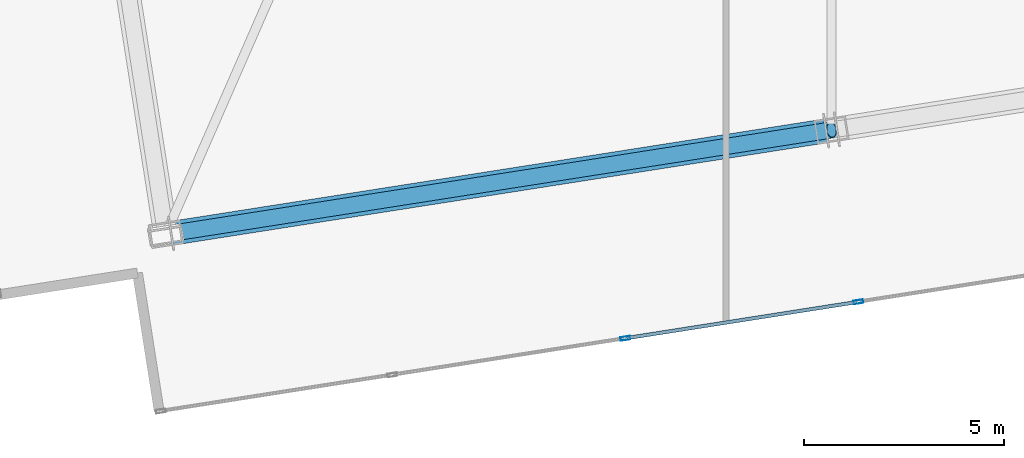
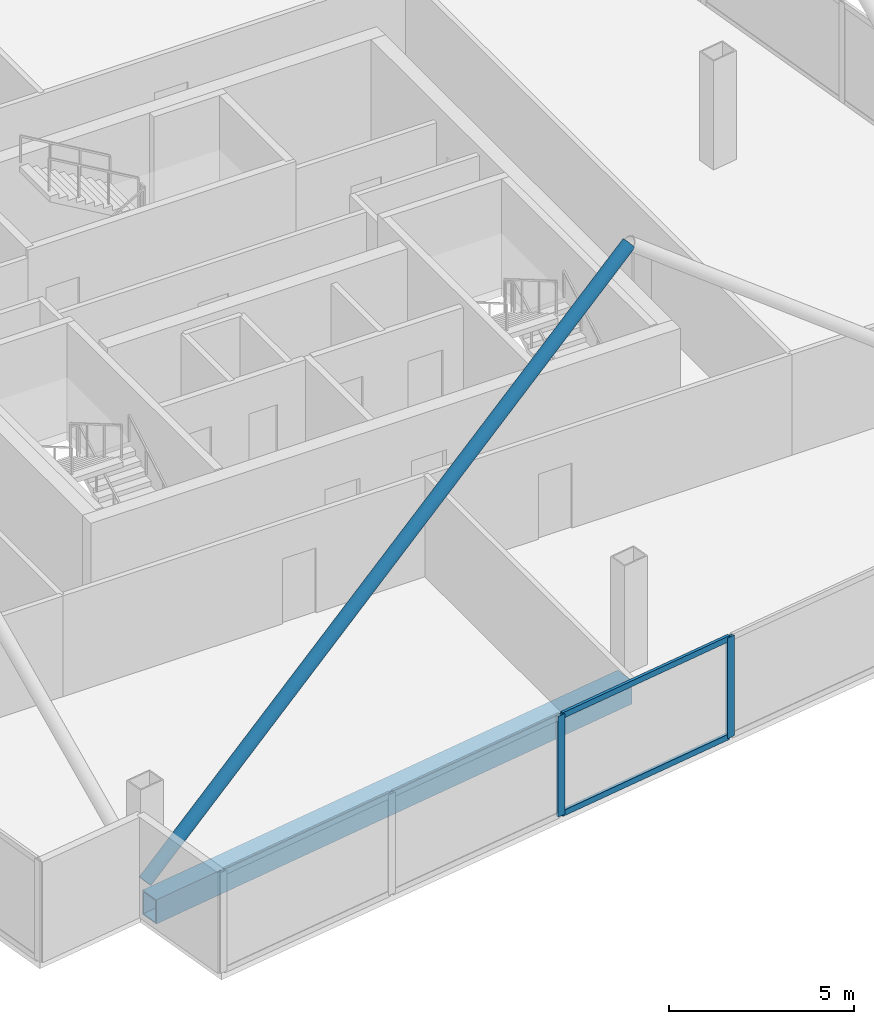
# One storey, part 4 of 21: 5 members, 1 beam, 1 element without a shape of its own.
"""IFC4 building model written with IfcOpenShell, lengths in metres."""

import ifcopenshell
import ifcopenshell.guid

model = None  # the IFC model being written
_history = None  # IfcOwnerHistory: only IFC2X3 demands one
_inside = {}  # id of a spatial element -> (the spatial element, [elements in it])
_under = {}  # id of a project, library or spatial element -> (it, [spatial elements below it])
_declared = {}  # id of a project -> (the project, [libraries it declares])
_typed = {}  # id of a type object -> (the type object, [elements of that type])
_made_of = {}  # id of a material, layer set ... -> (it, [elements and type objects made of it])


def new_model(schema):
    """Start an empty IFC model of exactly this schema.

    Asked for "IFC4X3", IfcOpenShell would pick the latest addendum, in which some entities
    have other attributes; the version numbers below select the first issue.
    IFC2X3 requires an IfcOwnerHistory on every rooted entity: one is made here for all.
    """
    global model, _history
    if schema == "IFC4X3":
        model = ifcopenshell.file(schema_version=(4, 3, 0, 0))
    else:
        model = ifcopenshell.file(schema=schema)
    _inside.clear()
    _under.clear()
    _declared.clear()
    _typed.clear()
    _made_of.clear()
    _history = None
    if model.schema == "IFC2X3":
        org = make("IfcOrganization", Name="unknown")
        user = make(
            "IfcPersonAndOrganization",
            ThePerson=make("IfcPerson", FamilyName="unknown"),
            TheOrganization=org,
        )
        app = make(
            "IfcApplication",
            ApplicationDeveloper=org,
            Version="unknown",
            ApplicationFullName="unknown",
            ApplicationIdentifier="unknown",
        )
        _history = make(
            "IfcOwnerHistory",
            OwningUser=user,
            OwningApplication=app,
            ChangeAction="ADDED",
            CreationDate=0,
        )
    return model


def make(cls, **values):
    """One entity of the class cls with the attributes given. An attribute that is None is left unset."""
    return model.create_entity(
        cls, **{name: value for name, value in values.items() if value is not None}
    )


def rooted(cls, **values):
    """An entity with a GlobalId (a new one), such as an element, a storey or a relation."""
    return make(cls, GlobalId=ifcopenshell.guid.new(), OwnerHistory=_history, **values)


def si_unit(unit_type, name, prefix=None):
    """IfcSIUnit, for example si_unit("LENGTHUNIT", "METRE", prefix="MILLI")."""
    return make("IfcSIUnit", UnitType=unit_type, Prefix=prefix, Name=name)


def assignment(units):
    """IfcUnitAssignment: the units of a project."""
    return None if units is None else make("IfcUnitAssignment", Units=units)


def point(xyz):
    """IfcCartesianPoint."""
    return None if xyz is None else make("IfcCartesianPoint", Coordinates=xyz)


def direction(xyz):
    """IfcDirection."""
    return None if xyz is None else make("IfcDirection", DirectionRatios=xyz)


def frame(location, z_axis=None, x_axis=None):
    """IfcAxis2Placement3D, a coordinate frame: its origin and axes. An axis left out is left unset."""
    return make(
        "IfcAxis2Placement3D",
        Location=point(location),
        Axis=direction(z_axis),
        RefDirection=direction(x_axis),
    )


def frame_2d(location, x_axis=None):
    """IfcAxis2Placement2D, a coordinate frame in the plane: its origin and x axis."""
    return make(
        "IfcAxis2Placement2D", Location=point(location), RefDirection=direction(x_axis)
    )


def origin():
    """The frame at (0, 0, 0) with its axes left unset."""
    return frame((0.0, 0.0, 0.0))


def origin_2d():
    """The frame at (0, 0) in the plane with its x axis left unset."""
    return frame_2d((0.0, 0.0))


def place(relative_to, where):
    """IfcLocalPlacement: puts the frame where relative to a parent placement (None: the world)."""
    return make(
        "IfcLocalPlacement", PlacementRelTo=relative_to, RelativePlacement=where
    )


def context(
    kind, dimensions, precision=None, world=None, true_north=None, identifier=None
):
    """IfcGeometricRepresentationContext, for example the 3D "Model" context."""
    return make(
        "IfcGeometricRepresentationContext",
        ContextIdentifier=identifier,
        ContextType=kind,
        CoordinateSpaceDimension=dimensions,
        Precision=precision,
        WorldCoordinateSystem=world,
        TrueNorth=true_north,
    )


def subcontext(parent, identifier, kind, view, scale=None):
    """IfcGeometricRepresentationSubContext, for example "Body" below "Model"."""
    return make(
        "IfcGeometricRepresentationSubContext",
        ContextIdentifier=identifier,
        ContextType=kind,
        ParentContext=parent,
        TargetScale=scale,
        TargetView=view,
    )


def project(units=None, contexts=None):
    """IfcProject with its units and contexts."""
    return rooted(
        "IfcProject",
        Name="project",
        RepresentationContexts=contexts,
        UnitsInContext=assignment(units),
    )


def spatial(cls, under=None, at=None, **own):
    """A site, building, storey or space (cls), placed at a placement, below another one or the project."""
    s = rooted(cls, ObjectPlacement=at, **own)
    if under is not None:
        _under.setdefault(under.id(), (under, []))[1].append(s)
    return s


def profile(cls, at=None, kind="AREA", **sizes):
    """A parametric profile (cls). Its sizes go by their IFC names, for example OverallWidth=200.0."""
    return make(cls, ProfileType=kind, Position=at, **sizes)


def hollow_rectangle(**sizes):
    """IfcRectangleHollowProfileDef."""
    return profile("IfcRectangleHollowProfileDef", **sizes)


def hollow_circle(**sizes):
    """IfcCircleHollowProfileDef."""
    return profile("IfcCircleHollowProfileDef", **sizes)


def extrude(swept, where, along, depth):
    """IfcExtrudedAreaSolid: the profile swept, set in the frame where, extruded along a direction by depth."""
    return make(
        "IfcExtrudedAreaSolid",
        SweptArea=swept,
        Position=where,
        ExtrudedDirection=direction(along),
        Depth=depth,
    )


def shape(context_of_items, identifier, shape_type, items):
    """IfcShapeRepresentation: the items that make up one representation, for example the "Body"."""
    return make(
        "IfcShapeRepresentation",
        ContextOfItems=context_of_items,
        RepresentationIdentifier=identifier,
        RepresentationType=shape_type,
        Items=items,
    )


def material(Name=None, Category=None):
    """IfcMaterial."""
    return make("IfcMaterial", Name=Name, Category=Category)


def material_profile(
    of_material, cross_section, Name=None, Category=None, Priority=None
):
    """IfcMaterialProfile: a cross section and its material."""
    return make(
        "IfcMaterialProfile",
        Name=Name,
        Material=of_material,
        Profile=cross_section,
        Priority=Priority,
        Category=Category,
    )


def profile_set(profiles, Name=None, composite=None):
    """IfcMaterialProfileSet."""
    return make(
        "IfcMaterialProfileSet",
        Name=Name,
        MaterialProfiles=profiles,
        CompositeProfile=composite,
    )


def made_of(thing, what):
    """Note that an element or type object is made of a material, layer set ...; save() writes the relation."""
    if what is not None:
        _made_of.setdefault(what.id(), (what, []))[1].append(thing)
    return thing


def type_object(cls, material=None, **own):
    """A type object (cls), such as IfcWallType, which elements share."""
    return made_of(rooted(cls, **own), material)


def element(
    cls,
    number,
    at=None,
    inside=None,
    cuts=None,
    type_object=None,
    material=None,
    context=None,
    identifier="Body",
    shape_type=None,
    held_by="IfcProductDefinitionShape",
    body=None,
    shapes=None,
    **own,
):
    """One element of the class cls, such as IfcWall. Its Tag is "e" and its number.

    at: its placement. inside: the storey or other place that contains it. cuts: it is an
    opening in that element (IfcRelVoidsElement). A single representation is given by context,
    identifier, shape_type and body (its items); several are given by shapes. held_by: the class
    of the entity that holds the representations. save() writes the other relations.
    """
    e = rooted(cls, Tag="e%d" % number, ObjectPlacement=at, **own)
    if body is not None:
        shapes = [shape(context, identifier, shape_type, body)]
    if shapes is not None:
        e.Representation = make(held_by, Representations=shapes)
    if inside is not None:
        _inside.setdefault(inside.id(), (inside, []))[1].append(e)
    if cuts is not None:
        rooted(
            "IfcRelVoidsElement", RelatingBuildingElement=cuts, RelatedOpeningElement=e
        )
    if type_object is not None:
        _typed.setdefault(type_object.id(), (type_object, []))[1].append(e)
    return made_of(e, material)


def aggregate(whole, parts):
    """IfcRelAggregates: a whole, such as a stair, and the parts it consists of."""
    return rooted("IfcRelAggregates", RelatingObject=whole, RelatedObjects=parts)


def save(model, path):
    """Write the relations noted so far, then the file.

    IfcRelAggregates (storeys below a building ...), IfcRelContainedInSpatialStructure (elements
    in a storey), IfcRelDefinesByType, IfcRelAssociatesMaterial and IfcRelDeclares: one each for
    every whole, place, type object, material and project.
    """
    for whole, parts in _under.values():
        aggregate(whole, parts)
    for where, things in _inside.values():
        rooted(
            "IfcRelContainedInSpatialStructure",
            RelatedElements=things,
            RelatingStructure=where,
        )
    for kind, things in _typed.values():
        rooted("IfcRelDefinesByType", RelatedObjects=things, RelatingType=kind)
    for what, things in _made_of.values():
        rooted("IfcRelAssociatesMaterial", RelatedObjects=things, RelatingMaterial=what)
    for by, libraries in _declared.values():
        rooted("IfcRelDeclares", RelatingContext=by, RelatedDefinitions=libraries)
    model.write(path)


model = new_model("IFC4")

# Units and contexts
model_context = context("Model", 3, precision=1e-05, world=origin(), true_north=direction((0.0, 1.0)))
body_context = subcontext(model_context, "Body", "Model", "MODEL_VIEW")
ifc_project = project(units=[si_unit("LENGTHUNIT", "METRE"), si_unit("AREAUNIT", "SQUARE_METRE"), si_unit("VOLUMEUNIT", "CUBIC_METRE"), si_unit("PLANEANGLEUNIT", "RADIAN"), si_unit("MASSUNIT", "GRAM", prefix="KILO")], contexts=[model_context])

# Site, building, storey
site_placement = place(None, origin())
site = spatial("IfcSite", under=ifc_project, at=site_placement, CompositionType="ELEMENT")
building_placement = place(site_placement, origin())
building = spatial("IfcBuilding", under=site, at=building_placement, Name="Haldenkirk Collegiate Tower", CompositionType="ELEMENT")
storey_placement = place(building_placement, frame((0.0, 0.0, 360.60009765625)))
storey = spatial("IfcBuildingStorey", under=building, at=storey_placement, Name="L91", CompositionType="ELEMENT", Elevation=360.60009765625)

# Beam
ifc_material_1 = material(Name="Steel ASTM A572 Grade 50", Category="steel")
ifc_material_profile_1 = material_profile(ifc_material_1, hollow_rectangle(XDim=0.60009765625, YDim=0.800048828125, WallThickness=0.0400390625, at=origin_2d()), Name="BOX800X600X40")
ifc_profile_set_1 = profile_set([ifc_material_profile_1], Name="Steel ASTM A572 Grade 50")
beam_type = type_object("IfcBeamType", Name="BM-SPANDREL-BOX800X600X40", PredefinedType="SPANDREL", material=ifc_profile_set_1)
beam_placement = place(storey_placement, frame((22.138916015625, 6.571533203125, -0.670166015625), z_axis=(0.987958818005, 0.154717077036, 0.0), x_axis=(-0.154717077036, 0.987958818005, 0.0)))
element("IfcBeam", 1, at=beam_placement, inside=storey, type_object=beam_type, Name="L91 Crown Ring Frame perimeter girder 7", PredefinedType="SPANDREL", context=body_context, shape_type="SweptSolid", body=[
    extrude(hollow_rectangle(XDim=0.60009765625, YDim=0.800048828125, WallThickness=0.0400390625, at=origin_2d()), origin(), (0.0, 0.0, 1.0), 16.5498046875),
])

# Curtain wall, members
ifc_material_2 = material(Name="Anodised architectural bronze aluminium", Category="aluminium")
curtain_wall_type = type_object("IfcCurtainWallType", Name="CW-SYS6-CROWN", PredefinedType="USERDEFINED", material=ifc_material_2)
curtain_wall_placement = place(storey_placement, origin())
curtain_wall = element("IfcCurtainWall", 2, at=curtain_wall_placement, inside=storey, type_object=curtain_wall_type, Name="L91 Closed crown ring ceramic-fritted bronze screen curtain wall", ObjectType="UNITISED CURTAIN WALL", PredefinedType="USERDEFINED")
ifc_material_profile_2 = material_profile(ifc_material_2, hollow_rectangle(XDim=0.090087890625, YDim=0.239990234375, WallThickness=0.0048828125, at=origin_2d()), Name="CW-MUL-06")
ifc_profile_set_2 = profile_set([ifc_material_profile_2], Name="Anodised architectural bronze aluminium")
member_type_1 = type_object("IfcMemberType", Name="CW-MUL-06", PredefinedType="MULLION", material=ifc_profile_set_2)
member_1_placement = place(storey_placement, frame((39.310791015625, 4.857666015625, 0.0), z_axis=(0.0, 0.0, 1.0), x_axis=(0.154708982189, -0.987960085646, 0.0)))
member_1 = element("IfcMember", 3, at=member_1_placement, type_object=member_type_1, Name="CW-06 mullion 4", PredefinedType="MULLION", context=body_context, shape_type="SweptSolid", body=[
    extrude(hollow_rectangle(XDim=0.090087890625, YDim=0.239990234375, WallThickness=0.0048828125, at=origin_2d()), origin(), (0.0, 0.0, 1.0), 3.329833984375),
])
member_2_placement = place(storey_placement, frame((33.48193359375, 3.94482421875, 0.0), z_axis=(0.0, 0.0, 1.0), x_axis=(0.154708982189, -0.987960085646, 0.0)))
member_2 = element("IfcMember", 4, at=member_2_placement, type_object=member_type_1, Name="CW-06 mullion 5", PredefinedType="MULLION", context=body_context, shape_type="SweptSolid", body=[
    extrude(hollow_rectangle(XDim=0.090087890625, YDim=0.239990234375, WallThickness=0.0048828125, at=origin_2d()), origin(), (0.0, 0.0, 1.0), 3.329833984375),
])
ifc_material_profile_3 = material_profile(ifc_material_2, hollow_rectangle(XDim=0.090087890625, YDim=0.18994140625, WallThickness=0.0048828125, at=origin_2d()), Name="CW-TRN-06")
ifc_profile_set_3 = profile_set([ifc_material_profile_3], Name="Anodised architectural bronze aluminium")
member_type_2 = type_object("IfcMemberType", Name="CW-TRN-06", PredefinedType="USERDEFINED", material=ifc_profile_set_3)
member_3_placement = place(storey_placement, frame((39.266357421875, 4.8505859375, 0.044921875), z_axis=(-0.987964517712, -0.154680676692, 0.0), x_axis=(0.154680676692, -0.987964517712, 0.0)))
member_3 = element("IfcMember", 5, at=member_3_placement, type_object=member_type_2, Name="CW-06 transom 4.1", ObjectType="TRANSOM", PredefinedType="USERDEFINED", context=body_context, shape_type="SweptSolid", body=[
    extrude(hollow_rectangle(XDim=0.090087890625, YDim=0.18994140625, WallThickness=0.0048828125, at=origin_2d()), origin(), (0.0, 0.0, 1.0), 5.809814453125),
])
member_4_placement = place(storey_placement, frame((39.266357421875, 4.8505859375, 3.284912109375), z_axis=(-0.987964517712, -0.154680676692, 0.0), x_axis=(0.154680676692, -0.987964517712, 0.0)))
member_4 = element("IfcMember", 6, at=member_4_placement, type_object=member_type_2, Name="CW-06 transom 4.2", ObjectType="TRANSOM", PredefinedType="USERDEFINED", context=body_context, shape_type="SweptSolid", body=[
    extrude(hollow_rectangle(XDim=0.090087890625, YDim=0.18994140625, WallThickness=0.0048828125, at=origin_2d()), origin(), (0.0, 0.0, 1.0), 5.809814453125),
])
aggregate(curtain_wall, [member_1, member_2, member_3, member_4])

# Member
ifc_material_profile_4 = material_profile(ifc_material_1, hollow_circle(Radius=0.202880859375, WallThickness=0.02001953125, at=origin_2d()), Name="CHS406X20")
ifc_profile_set_4 = profile_set([ifc_material_profile_4], Name="Steel ASTM A572 Grade 50")
member_type_3 = type_object("IfcMemberType", Name="MBR-CROWNBRACE-CHS406", PredefinedType="BRACE", material=ifc_profile_set_4)
member_5_placement = place(storey_placement, frame((21.99072265625, 6.54833984375, 0.25), z_axis=(0.766558655672, 0.120043899411, 0.630854412387), x_axis=(-0.154715440061, 0.987959074358, 0.0)))
element("IfcMember", 7, at=member_5_placement, inside=storey, type_object=member_type_3, Name="Crown Ring Frame diagonal brace W1", PredefinedType="BRACE", context=body_context, shape_type="SweptSolid", body=[
    extrude(hollow_circle(Radius=0.202880859375, WallThickness=0.02001953125, at=origin_2d()), origin(), (0.0, 0.0, 1.0), 21.716552734375),
])

save(model, "model.ifc")
